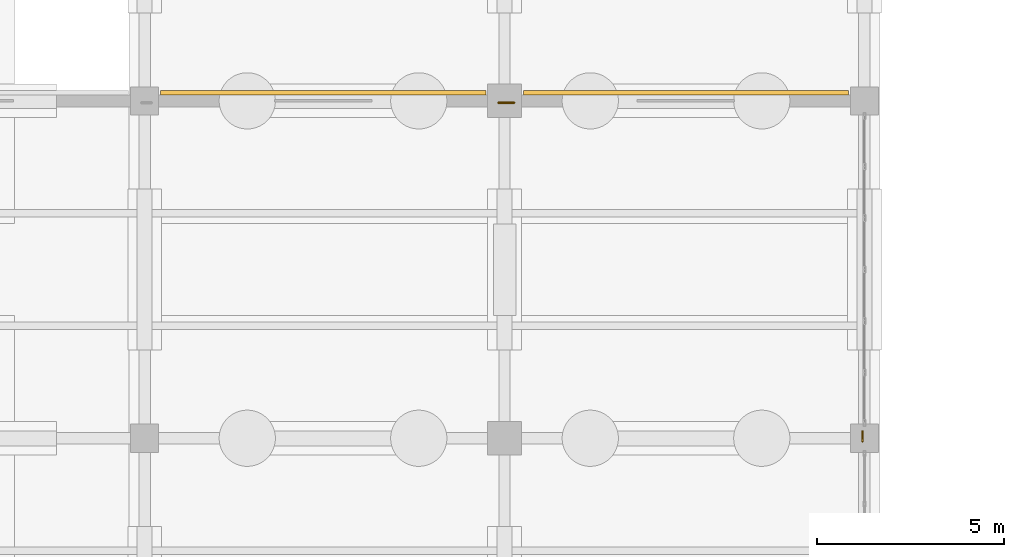
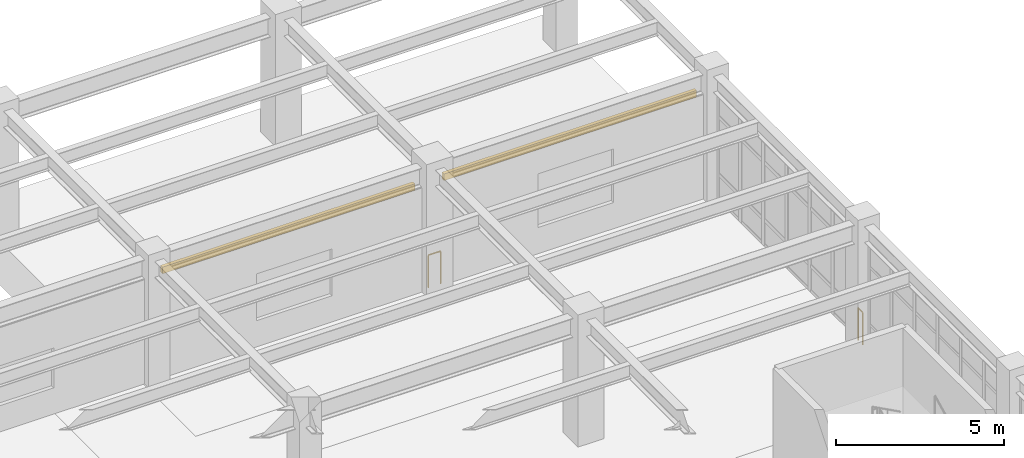
# One storey, part 138 of 139: 2 coverings, 2 railings.
"""IFC4 building model written with IfcOpenShell, lengths in metres."""

from ifc_helpers import new_model, si_unit, direction, frame, origin, origin_2d, place, context, subcontext, project, spatial, rectangle, circle, extrude, material, layer, layer_set, type_object, element, save


model = new_model("IFC4")

# Units and contexts
model_context = context("Model", 3, precision=1e-05, world=origin(), true_north=direction((0.0, 1.0)))
body_context = subcontext(model_context, "Body", "Model", "MODEL_VIEW")
ifc_project = project(units=[si_unit("LENGTHUNIT", "METRE"), si_unit("AREAUNIT", "SQUARE_METRE"), si_unit("VOLUMEUNIT", "CUBIC_METRE"), si_unit("PLANEANGLEUNIT", "RADIAN"), si_unit("MASSUNIT", "GRAM", prefix="KILO")], contexts=[model_context])

# Site, building, storey
site_placement = place(None, origin())
site = spatial("IfcSite", under=ifc_project, at=site_placement, CompositionType="ELEMENT")
building_placement = place(site_placement, origin())
building = spatial("IfcBuilding", under=site, at=building_placement, Name="Canglan Escarpment Cableway Terminal", CompositionType="ELEMENT")
storey_placement = place(building_placement, frame((0.0, 0.0, 14.39990234375)))
storey = spatial("IfcBuildingStorey", under=building, at=storey_placement, Name="L03", CompositionType="ELEMENT", Elevation=14.39990234375)

# Coverings
ifc_material_1 = material(Name="Carved classical limestone cornice", Category="masonry")
ifc_layer = layer(ifc_material_1, 0.1201171875, Name="Carved classical limestone cornice")
ifc_layer_set = layer_set([ifc_layer], Name="Carved classical limestone cornice")
covering_type = type_object("IfcCoveringType", Name="COV-CORNICE-STONE", PredefinedType="CLADDING", material=ifc_layer_set)
for number, where, z_axis, x_axis, name in (
    (1, (151.96240234375, 115.219970703125, 3.52490234375), (0.0, 0.0, 1.0), (-1.0, 0.0, 0.0), "Classical carved limestone cornice CL-01"),
    (2, (161.637451171875, 115.219970703125, 3.52490234375), (0.0, 0.0, 1.0), (-1.0, 0.0, 0.0), "Classical carved limestone cornice CL-01"),
):
    element("IfcCovering", number, at=place(storey_placement, frame(where, z_axis=z_axis, x_axis=x_axis)), inside=storey, type_object=covering_type, Name=name, PredefinedType="CLADDING", context=body_context, shape_type="SweptSolid", body=[
        extrude(rectangle(XDim=8.675048828125, YDim=0.1201171875, at=origin_2d()), origin(), (0.0, 0.0, 1.0), 0.239990234375),
    ])

# Railings
ifc_material_2 = material(Name="Carved limestone and anodized bronze balustrade", Category="masonry")
railing_type = type_object("IfcRailingType", Name="RL-EXT-BALUSTRADE-1200", PredefinedType="BALUSTRADE", material=ifc_material_2)
railing_1_placement = place(storey_placement, frame((156.639892578125, 114.949951171875, 0.0)))
element("IfcRailing", 3, at=railing_1_placement, inside=storey, type_object=railing_type, Name="Classical terrace balustrade guard GD-01 (L03)", PredefinedType="BALUSTRADE", context=body_context, shape_type="SweptSolid", body=[
    extrude(circle(Radius=0.02392578125, at=origin_2d()), frame((0.0, 0.0, 1.17578125), z_axis=(1.0, 0.0, 0.0), x_axis=(0.0, 1.0, 0.0)), (0.0, 0.0, 1.0), 0.420166015625),
    extrude(circle(Radius=0.02099609375, at=origin_2d()), origin(), (0.0, 0.0, 1.0), 1.15185546875),
    extrude(circle(Radius=0.02099609375, at=origin_2d()), frame((0.420166015625, 0.0, 0.0)), (0.0, 0.0, 1.0), 1.15185546875),
])
railing_2_placement = place(storey_placement, frame((166.35009765625, 106.18505859375, 0.0)))
element("IfcRailing", 4, at=railing_2_placement, inside=storey, type_object=railing_type, Name="Classical terrace balustrade guard GD-01 (L03)", PredefinedType="BALUSTRADE", context=body_context, shape_type="SweptSolid", body=[
    extrude(circle(Radius=0.02392578125, at=origin_2d()), frame((0.0, 0.0, 1.17578125), z_axis=(0.0, -1.0, 0.0), x_axis=(1.0, 0.0, 0.0)), (0.0, 0.0, 1.0), 0.27001953125),
    extrude(circle(Radius=0.02099609375, at=origin_2d()), origin(), (0.0, 0.0, 1.0), 1.15185546875),
    extrude(circle(Radius=0.02099609375, at=origin_2d()), frame((0.0, -0.27001953125, 0.0)), (0.0, 0.0, 1.0), 1.15185546875),
])

save(model, "model.ifc")
